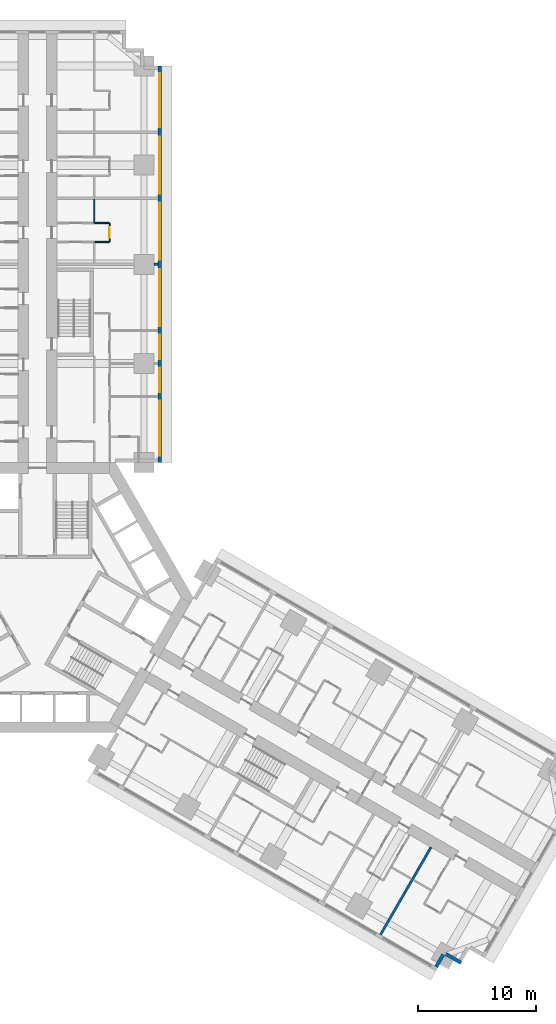
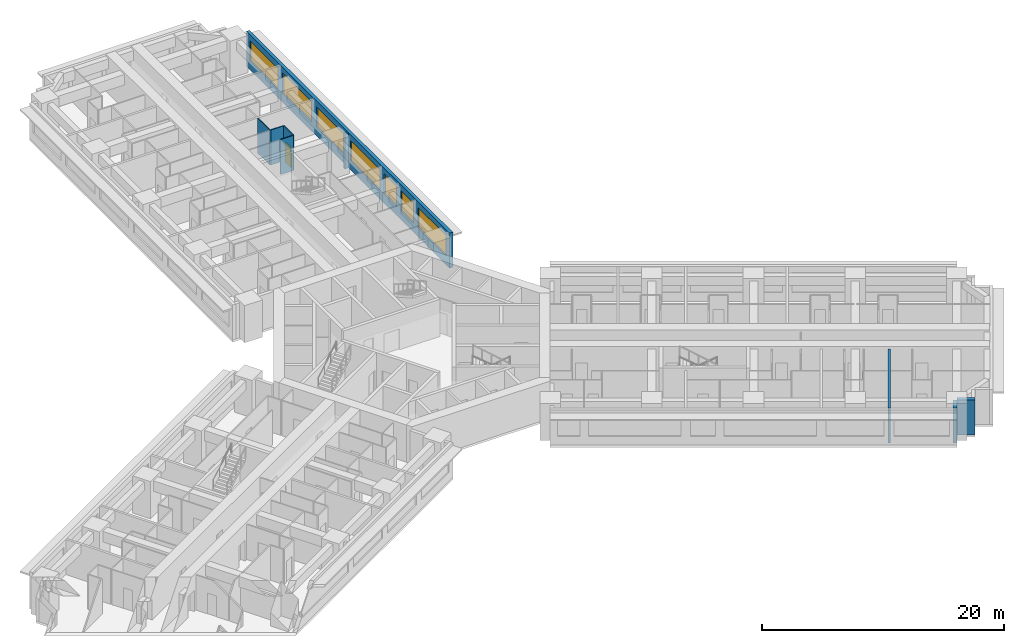
# One storey, part 11 of 17: 9 walls, 7 windows, 1 door, 8 openings.
"""IFC4 building model written with IfcOpenShell, lengths in metres."""

from ifc_helpers import new_model, si_unit, direction, frame, frame_2d, origin, place, context, subcontext, project, spatial, rectangle, extrude, material, layer, layer_set, type_object, element, fill, save


model = new_model("IFC4")

# Units and contexts
model_context = context("Model", 3, precision=1e-05, world=origin(), true_north=direction((0.0, 1.0)))
body_context = subcontext(model_context, "Body", "Model", "MODEL_VIEW")
ifc_project = project(units=[si_unit("LENGTHUNIT", "METRE"), si_unit("AREAUNIT", "SQUARE_METRE"), si_unit("VOLUMEUNIT", "CUBIC_METRE"), si_unit("PLANEANGLEUNIT", "RADIAN"), si_unit("MASSUNIT", "GRAM", prefix="KILO")], contexts=[model_context])

# Site, building, storey
site_placement = place(None, origin())
site = spatial("IfcSite", under=ifc_project, at=site_placement, CompositionType="ELEMENT")
building_placement = place(site_placement, origin())
building = spatial("IfcBuilding", under=site, at=building_placement, Name="Impinga Residences", CompositionType="ELEMENT")
storey_placement = place(building_placement, frame((0.0, 0.0, 29.75)))
storey = spatial("IfcBuildingStorey", under=building, at=storey_placement, Name="L06", CompositionType="ELEMENT", Elevation=29.75)

# Wall, openings, windows
ifc_material_1 = material(Name="Terracotta rainscreen on blockwork", Category="masonry")
ifc_layer_1 = layer(ifc_material_1, 0.300048828125)
ifc_layer_set_1 = layer_set([ifc_layer_1], Name="EW1 external wall, terracotta rainscreen on blockwork 300")
wall_type_1 = type_object("IfcWallType", Name="EW1 external wall, terracotta rainscreen on blockwork 300", PredefinedType="SOLIDWALL", material=ifc_layer_set_1)
wall_1_placement = place(storey_placement, frame((10.35009765625, 45.031494140625, 0.0), z_axis=(0.0, 0.0, 1.0), x_axis=(0.0, -1.0, 0.0)))
wall_1 = element("IfcWall", 1, at=wall_1_placement, inside=storey, type_object=wall_type_1, Name="External wall EW1 L06", PredefinedType="SOLIDWALL", context=body_context, shape_type="SweptSolid", body=[
    extrude(rectangle(XDim=33.599853515625, YDim=0.300048828125, at=frame_2d((16.7998046875, 0.0))), origin(), (0.0, 0.0, 1.0), 3.530029296875),
])
opening_1_placement = place(wall_1_placement, frame((0.60009765625, 0.0, 0.89990234375)))
opening_1 = element("IfcOpeningElement", 2, at=opening_1_placement, cuts=wall_1, Name="Opening W3", PredefinedType="OPENING", context=body_context, shape_type="SweptSolid", body=[
    extrude(rectangle(XDim=4.60009765625, YDim=2.050048828125, at=frame_2d((2.300048828125, 1.02490234375))), frame((0.0, 0.159912109375, 0.0), z_axis=(0.0, -1.0, 0.0), x_axis=(1.0, 0.0, 0.0)), (0.0, 0.0, 1.0), 0.320068359375),
])
opening_2_placement = place(wall_1_placement, frame((6.0, 0.0, 0.89990234375)))
opening_2 = element("IfcOpeningElement", 3, at=opening_2_placement, cuts=wall_1, Name="Opening W8", PredefinedType="OPENING", context=body_context, shape_type="SweptSolid", body=[
    extrude(rectangle(XDim=4.800048828125, YDim=2.050048828125, at=frame_2d((2.39990234375, 1.02490234375))), frame((0.0, 0.159912109375, 0.0), z_axis=(0.0, -1.0, 0.0), x_axis=(1.0, 0.0, 0.0)), (0.0, 0.0, 1.0), 0.320068359375),
])
opening_3_placement = place(wall_1_placement, frame((11.60009765625, 0.0, 0.89990234375)))
opening_3 = element("IfcOpeningElement", 4, at=opening_3_placement, cuts=wall_1, Name="Opening W8", PredefinedType="OPENING", context=body_context, shape_type="SweptSolid", body=[
    extrude(rectangle(XDim=4.800048828125, YDim=2.050048828125, at=frame_2d((2.39990234375, 1.02490234375))), frame((0.0, 0.159912109375, 0.0), z_axis=(0.0, -1.0, 0.0), x_axis=(1.0, 0.0, 0.0)), (0.0, 0.0, 1.0), 0.320068359375),
])
opening_4_placement = place(wall_1_placement, frame((17.199951171875, 0.0, 0.89990234375)))
opening_4 = element("IfcOpeningElement", 5, at=opening_4_placement, cuts=wall_1, Name="Opening W6", PredefinedType="OPENING", context=body_context, shape_type="SweptSolid", body=[
    extrude(rectangle(XDim=4.85009765625, YDim=2.050048828125, at=frame_2d((2.425048828125, 1.02490234375))), frame((0.0, 0.159912109375, 0.0), z_axis=(0.0, -1.0, 0.0), x_axis=(1.0, 0.0, 0.0)), (0.0, 0.0, 1.0), 0.320068359375),
])
opening_5_placement = place(wall_1_placement, frame((22.75, 0.0, 0.89990234375)))
opening_5 = element("IfcOpeningElement", 6, at=opening_5_placement, cuts=wall_1, Name="Opening W9", PredefinedType="OPENING", context=body_context, shape_type="SweptSolid", body=[
    extrude(rectangle(XDim=2.10009765625, YDim=2.050048828125, at=frame_2d((1.050048828125, 1.02490234375))), frame((0.0, 0.159912109375, 0.0), z_axis=(0.0, -1.0, 0.0), x_axis=(1.0, 0.0, 0.0)), (0.0, 0.0, 1.0), 0.320068359375),
])
opening_6_placement = place(wall_1_placement, frame((25.550048828125, 0.0, 0.89990234375)))
opening_6 = element("IfcOpeningElement", 7, at=opening_6_placement, cuts=wall_1, Name="Opening W9", PredefinedType="OPENING", context=body_context, shape_type="SweptSolid", body=[
    extrude(rectangle(XDim=2.10009765625, YDim=2.050048828125, at=frame_2d((1.050048828125, 1.02490234375))), frame((0.0, 0.159912109375, 0.0), z_axis=(0.0, -1.0, 0.0), x_axis=(1.0, 0.0, 0.0)), (0.0, 0.0, 1.0), 0.320068359375),
])
opening_7_placement = place(wall_1_placement, frame((28.35009765625, 0.0, 0.89990234375)))
opening_7 = element("IfcOpeningElement", 8, at=opening_7_placement, cuts=wall_1, Name="Opening W10", PredefinedType="OPENING", context=body_context, shape_type="SweptSolid", body=[
    extrude(rectangle(XDim=4.64990234375, YDim=2.050048828125, at=frame_2d((2.324951171875, 1.02490234375))), frame((0.0, 0.159912109375, 0.0), z_axis=(0.0, -1.0, 0.0), x_axis=(1.0, 0.0, 0.0)), (0.0, 0.0, 1.0), 0.320068359375),
])
ifc_material_2 = material(Name="Aluminium window, clear double glazing", Category="aluminium")
window_type_1 = type_object("IfcWindowType", Name="W10 ribbon window 4650x2050", PartitioningType="SINGLE_PANEL", PredefinedType="WINDOW", material=ifc_material_2)
window_1_placement = place(opening_7_placement, origin())
window_1 = element("IfcWindow", 9, at=window_1_placement, inside=storey, type_object=window_type_1, Name="Window L06", OverallHeight=2.050048828125, OverallWidth=4.64990234375, PartitioningType="SINGLE_PANEL", PredefinedType="WINDOW", context=body_context, shape_type="SweptSolid", body=[
    extrude(rectangle(XDim=4.64990234375, YDim=2.050048828125, at=frame_2d((2.324951171875, 1.02490234375))), frame((0.0, 0.030029296875, 0.0), z_axis=(0.0, -1.0, 0.0), x_axis=(1.0, 0.0, 0.0)), (0.0, 0.0, 1.0), 0.06005859375),
])
fill(opening_7, window_1)
window_type_2 = type_object("IfcWindowType", Name="W3 ribbon window 4600x2050", PartitioningType="SINGLE_PANEL", PredefinedType="WINDOW", material=ifc_material_2)
window_2_placement = place(opening_1_placement, origin())
window_2 = element("IfcWindow", 10, at=window_2_placement, inside=storey, type_object=window_type_2, Name="Window L06", OverallHeight=2.050048828125, OverallWidth=4.60009765625, PartitioningType="SINGLE_PANEL", PredefinedType="WINDOW", context=body_context, shape_type="SweptSolid", body=[
    extrude(rectangle(XDim=4.60009765625, YDim=2.050048828125, at=frame_2d((2.300048828125, 1.02490234375))), frame((0.0, 0.030029296875, 0.0), z_axis=(0.0, -1.0, 0.0), x_axis=(1.0, 0.0, 0.0)), (0.0, 0.0, 1.0), 0.06005859375),
])
fill(opening_1, window_2)
window_type_3 = type_object("IfcWindowType", Name="W6 ribbon window 4850x2050", PartitioningType="SINGLE_PANEL", PredefinedType="WINDOW", material=ifc_material_2)
window_3_placement = place(opening_4_placement, origin())
window_3 = element("IfcWindow", 11, at=window_3_placement, inside=storey, type_object=window_type_3, Name="Window L06", OverallHeight=2.050048828125, OverallWidth=4.85009765625, PartitioningType="SINGLE_PANEL", PredefinedType="WINDOW", context=body_context, shape_type="SweptSolid", body=[
    extrude(rectangle(XDim=4.85009765625, YDim=2.050048828125, at=frame_2d((2.425048828125, 1.02490234375))), frame((0.0, 0.030029296875, 0.0), z_axis=(0.0, -1.0, 0.0), x_axis=(1.0, 0.0, 0.0)), (0.0, 0.0, 1.0), 0.06005859375),
])
fill(opening_4, window_3)
window_type_4 = type_object("IfcWindowType", Name="W8 ribbon window 4800x2050", PartitioningType="SINGLE_PANEL", PredefinedType="WINDOW", material=ifc_material_2)
window_4_placement = place(opening_2_placement, origin())
window_4 = element("IfcWindow", 12, at=window_4_placement, inside=storey, type_object=window_type_4, Name="Window L06", OverallHeight=2.050048828125, OverallWidth=4.800048828125, PartitioningType="SINGLE_PANEL", PredefinedType="WINDOW", context=body_context, shape_type="SweptSolid", body=[
    extrude(rectangle(XDim=4.800048828125, YDim=2.050048828125, at=frame_2d((2.39990234375, 1.02490234375))), frame((0.0, 0.030029296875, 0.0), z_axis=(0.0, -1.0, 0.0), x_axis=(1.0, 0.0, 0.0)), (0.0, 0.0, 1.0), 0.06005859375),
])
fill(opening_2, window_4)
window_5_placement = place(opening_3_placement, origin())
window_5 = element("IfcWindow", 13, at=window_5_placement, inside=storey, type_object=window_type_4, Name="Window L06", OverallHeight=2.050048828125, OverallWidth=4.800048828125, PartitioningType="SINGLE_PANEL", PredefinedType="WINDOW", context=body_context, shape_type="SweptSolid", body=[
    extrude(rectangle(XDim=4.800048828125, YDim=2.050048828125, at=frame_2d((2.39990234375, 1.02490234375))), frame((0.0, 0.030029296875, 0.0), z_axis=(0.0, -1.0, 0.0), x_axis=(1.0, 0.0, 0.0)), (0.0, 0.0, 1.0), 0.06005859375),
])
fill(opening_3, window_5)
window_type_5 = type_object("IfcWindowType", Name="W9 ribbon window 2100x2050", PartitioningType="SINGLE_PANEL", PredefinedType="WINDOW", material=ifc_material_2)
window_6_placement = place(opening_5_placement, origin())
window_6 = element("IfcWindow", 14, at=window_6_placement, inside=storey, type_object=window_type_5, Name="Window L06", OverallHeight=2.050048828125, OverallWidth=2.10009765625, PartitioningType="SINGLE_PANEL", PredefinedType="WINDOW", context=body_context, shape_type="SweptSolid", body=[
    extrude(rectangle(XDim=2.10009765625, YDim=2.050048828125, at=frame_2d((1.050048828125, 1.02490234375))), frame((0.0, 0.030029296875, 0.0), z_axis=(0.0, -1.0, 0.0), x_axis=(1.0, 0.0, 0.0)), (0.0, 0.0, 1.0), 0.06005859375),
])
fill(opening_5, window_6)
window_7_placement = place(opening_6_placement, origin())
window_7 = element("IfcWindow", 15, at=window_7_placement, inside=storey, type_object=window_type_5, Name="Window L06", OverallHeight=2.050048828125, OverallWidth=2.10009765625, PartitioningType="SINGLE_PANEL", PredefinedType="WINDOW", context=body_context, shape_type="SweptSolid", body=[
    extrude(rectangle(XDim=2.10009765625, YDim=2.050048828125, at=frame_2d((1.050048828125, 1.02490234375))), frame((0.0, 0.030029296875, 0.0), z_axis=(0.0, -1.0, 0.0), x_axis=(1.0, 0.0, 0.0)), (0.0, 0.0, 1.0), 0.06005859375),
])
fill(opening_6, window_7)

# Walls
wall_2_placement = place(storey_placement, frame((35.87255859375, -30.93017578125, 0.0), z_axis=(0.0, 0.0, 1.0), x_axis=(-0.866031096941, 0.499990139034, 0.0)))
element("IfcWall", 16, at=wall_2_placement, inside=storey, type_object=wall_type_1, Name="External wall EW1 L06", PredefinedType="SOLIDWALL", context=body_context, shape_type="SweptSolid", body=[
    extrude(rectangle(XDim=1.5, YDim=0.300048828125, at=frame_2d((0.75, 0.0))), origin(), (0.0, 0.0, 1.0), 3.530029296875),
])
wall_3_placement = place(storey_placement, frame((34.365966796875, -30.2392578125, 0.0), z_axis=(0.0, 0.0, 1.0), x_axis=(-0.499940577336, -0.866059708757, 0.0)))
element("IfcWall", 17, at=wall_3_placement, inside=storey, type_object=wall_type_1, Name="External wall EW1 L06", PredefinedType="SOLIDWALL", context=body_context, shape_type="SweptSolid", body=[
    extrude(rectangle(XDim=1.195068359375, YDim=0.300048828125, at=frame_2d((0.59765625, 0.0))), origin(), (0.0, 0.0, 1.0), 3.530029296875),
])
ifc_material_3 = material(Name="Gypsum board on steel studs", Category="steel")
ifc_layer_2 = layer(ifc_material_3, 0.10009765625)
ifc_layer_set_2 = layer_set([ifc_layer_2], Name="Gypsum board on steel studs")
wall_type_2 = type_object("IfcWallType", Name="IP1 partition 100", PredefinedType="PARTITIONING", material=ifc_layer_set_2)
wall_4_placement = place(storey_placement, frame((4.800048828125, 31.7314453125, 0.0), z_axis=(0.0, 0.0, 1.0), x_axis=(0.0, 1.0, 0.0)))
element("IfcWall", 18, at=wall_4_placement, inside=storey, type_object=wall_type_2, Name="Partition L06-NF2:DIV1", PredefinedType="PARTITIONING", context=body_context, shape_type="SweptSolid", body=[
    extrude(rectangle(XDim=2.0, YDim=0.10009765625, at=frame_2d((1.0, 0.0))), origin(), (0.0, 0.0, 1.0), 3.530029296875),
])

# Wall, opening, door
wall_5_placement = place(storey_placement, frame((6.10009765625, 30.131591796875, 0.0), z_axis=(0.0, 0.0, 1.0), x_axis=(0.0, 1.0, 0.0)))
wall_5 = element("IfcWall", 19, at=wall_5_placement, inside=storey, type_object=wall_type_2, Name="Partition L06-NF2:STRIP", PredefinedType="PARTITIONING", context=body_context, shape_type="SweptSolid", body=[
    extrude(rectangle(XDim=1.599853515625, YDim=0.10009765625, at=frame_2d((0.7998046875, 0.0))), origin(), (0.0, 0.0, 1.0), 3.530029296875),
])
opening_8_placement = place(wall_5_placement, frame((0.35009765625, 0.0, 0.0)))
opening_8 = element("IfcOpeningElement", 20, at=opening_8_placement, cuts=wall_5, Name="Opening D2", PredefinedType="OPENING", context=body_context, shape_type="SweptSolid", body=[
    extrude(rectangle(XDim=0.89990234375, YDim=2.10009765625, at=frame_2d((0.449951171875, 1.050048828125))), frame((0.0, 0.06005859375, 0.0), z_axis=(0.0, -1.0, 0.0), x_axis=(1.0, 0.0, 0.0)), (0.0, 0.0, 1.0), 0.1201171875),
])
ifc_material_4 = material(Name="Timber door set", Category="wood")
door_type = type_object("IfcDoorType", Name="D2 internal door 900x2100", OperationType="SINGLE_SWING_LEFT", PredefinedType="DOOR", material=ifc_material_4)
door_placement = place(opening_8_placement, origin())
door = element("IfcDoor", 21, at=door_placement, inside=storey, type_object=door_type, Name="Apartment L06-NF2 room door", OperationType="SINGLE_SWING_LEFT", OverallHeight=2.10009765625, OverallWidth=0.89990234375, PredefinedType="DOOR", context=body_context, shape_type="SweptSolid", body=[
    extrude(rectangle(XDim=0.89990234375, YDim=2.10009765625, at=frame_2d((0.449951171875, 1.050048828125))), frame((0.0, 0.02490234375, 0.0), z_axis=(0.0, -1.0, 0.0), x_axis=(1.0, 0.0, 0.0)), (0.0, 0.0, 1.0), 0.050048828125),
])
fill(opening_8, door)

# Walls
for number, where, z_axis, x_axis, name in (
    (22, (4.85009765625, 30.131591796875, 0.0), (0.0, 0.0, 1.0), (1.0, 0.0, 0.0), "Partition L06-NF2:SE0"),
    (23, (4.85009765625, 31.7314453125, 0.0), (0.0, 0.0, 1.0), (1.0, 0.0, 0.0), "Partition L06-NF2:SE1"),
):
    element("IfcWall", number, at=place(storey_placement, frame(where, z_axis=z_axis, x_axis=x_axis)), inside=storey, type_object=wall_type_2, Name=name, PredefinedType="PARTITIONING", context=body_context, shape_type="SweptSolid", body=[
        extrude(rectangle(XDim=1.199951171875, YDim=0.10009765625, at=frame_2d((0.60009765625, 0.0))), origin(), (0.0, 0.0, 1.0), 3.530029296875),
    ])
ifc_material_5 = material(Name="Concrete blockwork", Category="masonry")
ifc_layer_3 = layer(ifc_material_5, 0.199951171875)
ifc_layer_set_3 = layer_set([ifc_layer_3], Name="PW1 party wall between apartments 200")
wall_type_3 = type_object("IfcWallType", Name="PW1 party wall between apartments 200", PredefinedType="SOLIDWALL", material=ifc_layer_set_3)
wall_6_placement = place(storey_placement, frame((9.85009765625, 28.2314453125, 0.0), z_axis=(0.0, 0.0, 1.0), x_axis=(1.0, 0.0, 0.0)))
element("IfcWall", 24, at=wall_6_placement, inside=storey, type_object=wall_type_3, Name="Party wall between apartments L06-NF1:PARTYb", PredefinedType="SOLIDWALL", context=body_context, shape_type="SweptSolid", body=[
    extrude(rectangle(XDim=0.349853515625, YDim=0.199951171875, at=frame_2d((0.1748046875, 0.0))), origin(), (0.0, 0.0, 1.0), 3.530029296875),
])
wall_7_placement = place(storey_placement, frame((33.32373046875, -21.144775390625, 0.0), z_axis=(0.0, 0.0, 1.0), x_axis=(-0.499990227581, -0.86603104582, 0.0)))
element("IfcWall", 25, at=wall_7_placement, inside=storey, type_object=wall_type_3, Name="Party wall between apartments L06-EF3:PARTY", PredefinedType="SOLIDWALL", context=body_context, shape_type="SweptSolid", body=[
    extrude(rectangle(XDim=8.550048828125, YDim=0.199951171875, at=frame_2d((4.27490234375, 0.0))), origin(), (0.0, 0.0, 1.0), 3.530029296875),
])

save(model, "model.ifc")
